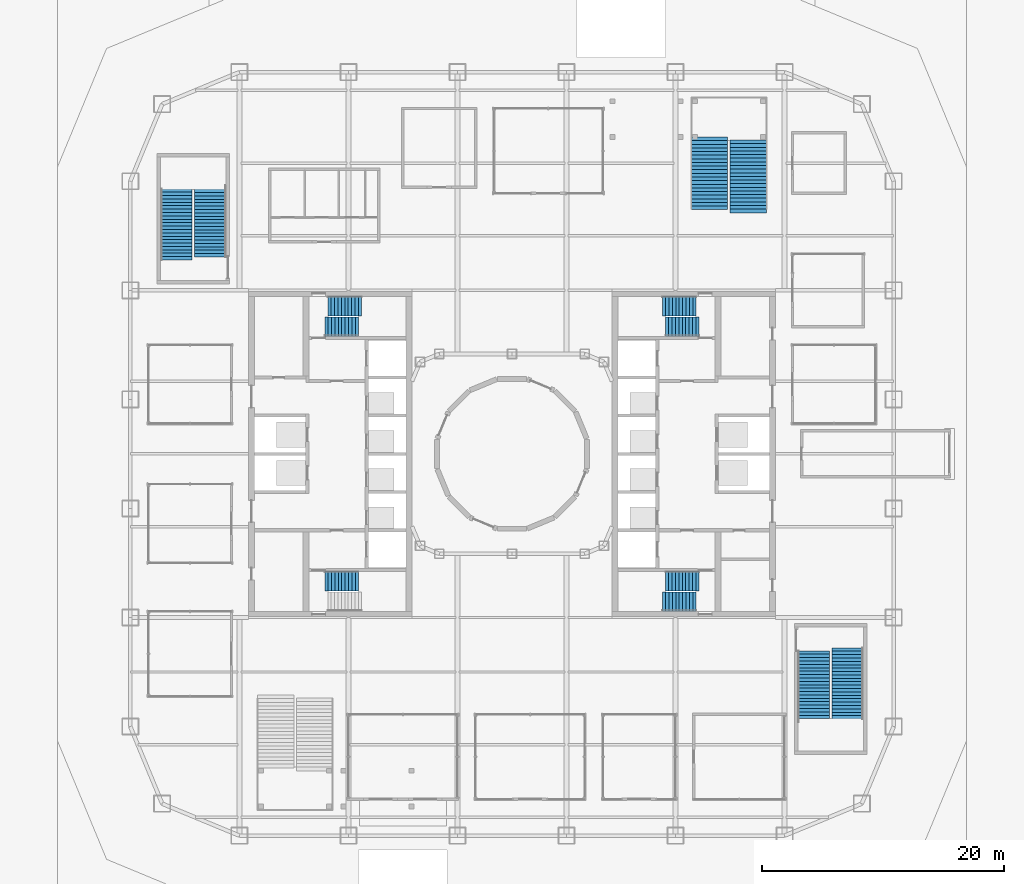
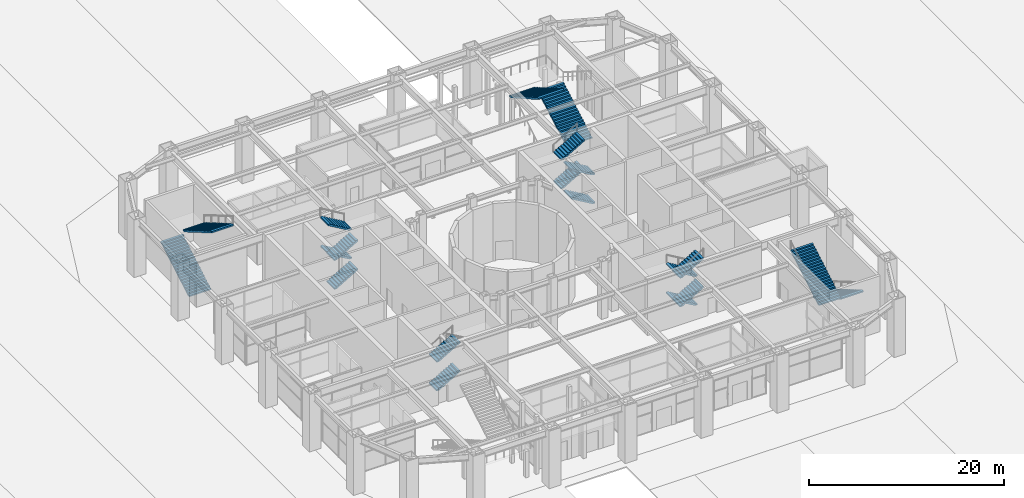
# One storey, part 17 of 20: 20 stair flights, 7 elements without a shape of their own.
"""IFC4 building model written with IfcOpenShell, lengths in metres."""

from ifc_helpers import new_model, si_unit, direction, frame, origin, place, context, subcontext, project, spatial, polyline, outline, extrude, material, type_object, element, aggregate, save


model = new_model("IFC4")

# Units and contexts
model_context = context("Model", 3, precision=1e-05, world=origin(), true_north=direction((0.0, 1.0)))
body_context = subcontext(model_context, "Body", "Model", "MODEL_VIEW")
ifc_project = project(units=[si_unit("LENGTHUNIT", "METRE"), si_unit("AREAUNIT", "SQUARE_METRE"), si_unit("VOLUMEUNIT", "CUBIC_METRE"), si_unit("PLANEANGLEUNIT", "RADIAN"), si_unit("MASSUNIT", "GRAM", prefix="KILO")], contexts=[model_context])

# Site, building, storey
site_placement = place(None, origin())
site = spatial("IfcSite", under=ifc_project, at=site_placement, CompositionType="ELEMENT")
building_placement = place(site_placement, origin())
building = spatial("IfcBuilding", under=site, at=building_placement, Name="Siwar Civic Tower", CompositionType="ELEMENT")
storey_placement = place(building_placement, origin())
storey = spatial("IfcBuildingStorey", under=building, at=storey_placement, Name="L00", CompositionType="ELEMENT", Elevation=0.0)

# Stair, stair flights
ifc_material_1 = material(Name="Concrete C40/50", Category="concrete")
stair_type_1 = type_object("IfcStairType", Name="CORE-STAIR", PredefinedType="TWO_STRAIGHT_RUN_STAIR", material=ifc_material_1)
stair_1_placement = place(storey_placement, origin())
stair_1 = element("IfcStair", 1, at=stair_1_placement, inside=storey, type_object=stair_type_1, Name="Exit stair ST1", PredefinedType="TWO_STRAIGHT_RUN_STAIR")
ifc_material_2 = material(Name="Concrete C40/50", Category="concrete")
stair_flight_type_1 = type_object("IfcStairFlightType", Name="CORE-STAIR-FLIGHT", PredefinedType="STRAIGHT", material=ifc_material_2)
stair_flight_1_placement = place(storey_placement, frame((-15.449951171875, 10.5, 0.0), z_axis=(0.0, 0.0, 1.0), x_axis=(1.0, 0.0, 0.0)))
stair_flight_1 = element("IfcStairFlight", 2, at=stair_flight_1_placement, type_object=stair_flight_type_1, Name="ST1 flight 1", NumberOfRisers=11, NumberOfTreads=10, PredefinedType="STRAIGHT", RiserHeight=0.163636364, TreadLength=0.28, context=body_context, shape_type="SweptSolid", body=[
    extrude(outline(polyline([(0.0, 0.0), (0.0, 0.16357421875), (0.280029296875, 0.16357421875), (0.280029296875, 0.327392578125), (0.56005859375, 0.327392578125), (0.56005859375, 0.490966796875), (0.840087890625, 0.490966796875), (0.840087890625, 0.654541015625), (1.1201171875, 0.654541015625), (1.1201171875, 0.818115234375), (1.39990234375, 0.818115234375), (1.39990234375, 0.98193359375), (1.679931640625, 0.98193359375), (1.679931640625, 1.1455078125), (1.9599609375, 1.1455078125), (1.9599609375, 1.30908203125), (2.239990234375, 1.30908203125), (2.239990234375, 1.47265625), (2.52001953125, 1.47265625), (2.52001953125, 1.636474609375), (2.800048828125, 1.636474609375), (2.800048828125, 1.800048828125), (2.800048828125, 1.462646484375), (0.297119140625, 0.0), (0.0, 0.0)])), frame((0.0, 0.800048828125, 0.0), z_axis=(0.0, -1.0, 0.0), x_axis=(1.0, 0.0, 0.0)), (0.0, 0.0, 1.0), 1.60009765625),
])
stair_flight_2_placement = place(storey_placement, frame((-12.39990234375, 12.199951171875, 1.800048828125), z_axis=(0.0, 0.0, 1.0), x_axis=(-1.0, 0.0, 0.0)))
stair_flight_2 = element("IfcStairFlight", 3, at=stair_flight_2_placement, type_object=stair_flight_type_1, Name="ST1 flight 2", NumberOfRisers=11, NumberOfTreads=10, PredefinedType="STRAIGHT", RiserHeight=0.163636364, TreadLength=0.28, context=body_context, shape_type="SweptSolid", body=[
    extrude(outline(polyline([(0.0, 0.0), (0.0, 0.16357421875), (0.280029296875, 0.16357421875), (0.280029296875, 0.327392578125), (0.56005859375, 0.327392578125), (0.56005859375, 0.490966796875), (0.840087890625, 0.490966796875), (0.840087890625, 0.654541015625), (1.1201171875, 0.654541015625), (1.1201171875, 0.818115234375), (1.39990234375, 0.818115234375), (1.39990234375, 0.98193359375), (1.679931640625, 0.98193359375), (1.679931640625, 1.1455078125), (1.9599609375, 1.1455078125), (1.9599609375, 1.30908203125), (2.239990234375, 1.30908203125), (2.239990234375, 1.47265625), (2.52001953125, 1.47265625), (2.52001953125, 1.636474609375), (2.800048828125, 1.636474609375), (2.800048828125, 1.800048828125), (2.800048828125, 1.462646484375), (0.297119140625, 0.0), (0.0, 0.0)])), frame((0.0, 0.800048828125, 0.0), z_axis=(0.0, -1.0, 0.0), x_axis=(1.0, 0.0, 0.0)), (0.0, 0.0, 1.0), 1.60009765625),
])
stair_flight_3_placement = place(storey_placement, frame((-15.449951171875, 10.5, 3.60009765625), z_axis=(0.0, 0.0, 1.0), x_axis=(1.0, 0.0, 0.0)))
stair_flight_3 = element("IfcStairFlight", 4, at=stair_flight_3_placement, type_object=stair_flight_type_1, Name="ST1 flight 3", NumberOfRisers=11, NumberOfTreads=10, PredefinedType="STRAIGHT", RiserHeight=0.163636364, TreadLength=0.28, context=body_context, shape_type="SweptSolid", body=[
    extrude(outline(polyline([(0.0, 0.0), (0.0, 0.16357421875), (0.280029296875, 0.16357421875), (0.280029296875, 0.327392578125), (0.56005859375, 0.327392578125), (0.56005859375, 0.490966796875), (0.840087890625, 0.490966796875), (0.840087890625, 0.654541015625), (1.1201171875, 0.654541015625), (1.1201171875, 0.818115234375), (1.39990234375, 0.818115234375), (1.39990234375, 0.98193359375), (1.679931640625, 0.98193359375), (1.679931640625, 1.1455078125), (1.9599609375, 1.1455078125), (1.9599609375, 1.30908203125), (2.239990234375, 1.30908203125), (2.239990234375, 1.47265625), (2.52001953125, 1.47265625), (2.52001953125, 1.636474609375), (2.800048828125, 1.636474609375), (2.800048828125, 1.800048828125), (2.800048828125, 1.462646484375), (0.297119140625, 0.0), (0.0, 0.0)])), frame((0.0, 0.800048828125, 0.0), z_axis=(0.0, -1.0, 0.0), x_axis=(1.0, 0.0, 0.0)), (0.0, 0.0, 1.0), 1.60009765625),
])
stair_flight_4_placement = place(storey_placement, frame((-12.39990234375, 12.199951171875, 5.39990234375), z_axis=(0.0, 0.0, 1.0), x_axis=(-1.0, 0.0, 0.0)))
stair_flight_4 = element("IfcStairFlight", 5, at=stair_flight_4_placement, type_object=stair_flight_type_1, Name="ST1 flight 4", NumberOfRisers=11, NumberOfTreads=10, PredefinedType="STRAIGHT", RiserHeight=0.163636364, TreadLength=0.28, context=body_context, shape_type="SweptSolid", body=[
    extrude(outline(polyline([(0.0, 0.0), (0.0, 0.16357421875), (0.280029296875, 0.16357421875), (0.280029296875, 0.327392578125), (0.56005859375, 0.327392578125), (0.56005859375, 0.490966796875), (0.840087890625, 0.490966796875), (0.840087890625, 0.654541015625), (1.1201171875, 0.654541015625), (1.1201171875, 0.818115234375), (1.39990234375, 0.818115234375), (1.39990234375, 0.98193359375), (1.679931640625, 0.98193359375), (1.679931640625, 1.1455078125), (1.9599609375, 1.1455078125), (1.9599609375, 1.30908203125), (2.239990234375, 1.30908203125), (2.239990234375, 1.47265625), (2.52001953125, 1.47265625), (2.52001953125, 1.636474609375), (2.800048828125, 1.636474609375), (2.800048828125, 1.800048828125), (2.800048828125, 1.462646484375), (0.297119140625, 0.0), (0.0, 0.0)])), frame((0.0, 0.800048828125, 0.0), z_axis=(0.0, -1.0, 0.0), x_axis=(1.0, 0.0, 0.0)), (0.0, 0.0, 1.0), 1.60009765625),
])
aggregate(stair_1, [stair_flight_1, stair_flight_2, stair_flight_3, stair_flight_4])

stair_2_placement = place(storey_placement, origin())
stair_2 = element("IfcStair", 6, at=stair_2_placement, inside=storey, type_object=stair_type_1, Name="Exit stair ST2", PredefinedType="TWO_STRAIGHT_RUN_STAIR")
stair_flight_5_placement = place(storey_placement, frame((-15.449951171875, -10.5, 0.0), z_axis=(0.0, 0.0, 1.0), x_axis=(1.0, 0.0, 0.0)))
stair_flight_5 = element("IfcStairFlight", 7, at=stair_flight_5_placement, type_object=stair_flight_type_1, Name="ST2 flight 1", NumberOfRisers=11, NumberOfTreads=10, PredefinedType="STRAIGHT", RiserHeight=0.163636364, TreadLength=0.28, context=body_context, shape_type="SweptSolid", body=[
    extrude(outline(polyline([(0.0, 0.0), (0.0, 0.16357421875), (0.280029296875, 0.16357421875), (0.280029296875, 0.327392578125), (0.56005859375, 0.327392578125), (0.56005859375, 0.490966796875), (0.840087890625, 0.490966796875), (0.840087890625, 0.654541015625), (1.1201171875, 0.654541015625), (1.1201171875, 0.818115234375), (1.39990234375, 0.818115234375), (1.39990234375, 0.98193359375), (1.679931640625, 0.98193359375), (1.679931640625, 1.1455078125), (1.9599609375, 1.1455078125), (1.9599609375, 1.30908203125), (2.239990234375, 1.30908203125), (2.239990234375, 1.47265625), (2.52001953125, 1.47265625), (2.52001953125, 1.636474609375), (2.800048828125, 1.636474609375), (2.800048828125, 1.800048828125), (2.800048828125, 1.462646484375), (0.297119140625, 0.0), (0.0, 0.0)])), frame((0.0, 0.800048828125, 0.0), z_axis=(0.0, -1.0, 0.0), x_axis=(1.0, 0.0, 0.0)), (0.0, 0.0, 1.0), 1.60009765625),
])
stair_flight_6_placement = place(storey_placement, frame((-15.449951171875, -10.5, 3.60009765625), z_axis=(0.0, 0.0, 1.0), x_axis=(1.0, 0.0, 0.0)))
stair_flight_6 = element("IfcStairFlight", 8, at=stair_flight_6_placement, type_object=stair_flight_type_1, Name="ST2 flight 3", NumberOfRisers=11, NumberOfTreads=10, PredefinedType="STRAIGHT", RiserHeight=0.163636364, TreadLength=0.28, context=body_context, shape_type="SweptSolid", body=[
    extrude(outline(polyline([(0.0, 0.0), (0.0, 0.16357421875), (0.280029296875, 0.16357421875), (0.280029296875, 0.327392578125), (0.56005859375, 0.327392578125), (0.56005859375, 0.490966796875), (0.840087890625, 0.490966796875), (0.840087890625, 0.654541015625), (1.1201171875, 0.654541015625), (1.1201171875, 0.818115234375), (1.39990234375, 0.818115234375), (1.39990234375, 0.98193359375), (1.679931640625, 0.98193359375), (1.679931640625, 1.1455078125), (1.9599609375, 1.1455078125), (1.9599609375, 1.30908203125), (2.239990234375, 1.30908203125), (2.239990234375, 1.47265625), (2.52001953125, 1.47265625), (2.52001953125, 1.636474609375), (2.800048828125, 1.636474609375), (2.800048828125, 1.800048828125), (2.800048828125, 1.462646484375), (0.297119140625, 0.0), (0.0, 0.0)])), frame((0.0, 0.800048828125, 0.0), z_axis=(0.0, -1.0, 0.0), x_axis=(1.0, 0.0, 0.0)), (0.0, 0.0, 1.0), 1.60009765625),
])
aggregate(stair_2, [stair_flight_5, stair_flight_6])

stair_3_placement = place(storey_placement, origin())
stair_3 = element("IfcStair", 9, at=stair_3_placement, inside=storey, type_object=stair_type_1, Name="Exit stair ST3", PredefinedType="TWO_STRAIGHT_RUN_STAIR")
stair_flight_7_placement = place(storey_placement, frame((15.449951171875, 10.5, 0.0), z_axis=(0.0, 0.0, 1.0), x_axis=(-1.0, 0.0, 0.0)))
stair_flight_7 = element("IfcStairFlight", 10, at=stair_flight_7_placement, type_object=stair_flight_type_1, Name="ST3 flight 1", NumberOfRisers=11, NumberOfTreads=10, PredefinedType="STRAIGHT", RiserHeight=0.163636364, TreadLength=0.28, context=body_context, shape_type="SweptSolid", body=[
    extrude(outline(polyline([(0.0, 0.0), (0.0, 0.16357421875), (0.280029296875, 0.16357421875), (0.280029296875, 0.327392578125), (0.56005859375, 0.327392578125), (0.56005859375, 0.490966796875), (0.840087890625, 0.490966796875), (0.840087890625, 0.654541015625), (1.1201171875, 0.654541015625), (1.1201171875, 0.818115234375), (1.39990234375, 0.818115234375), (1.39990234375, 0.98193359375), (1.679931640625, 0.98193359375), (1.679931640625, 1.1455078125), (1.9599609375, 1.1455078125), (1.9599609375, 1.30908203125), (2.239990234375, 1.30908203125), (2.239990234375, 1.47265625), (2.52001953125, 1.47265625), (2.52001953125, 1.636474609375), (2.800048828125, 1.636474609375), (2.800048828125, 1.800048828125), (2.800048828125, 1.462646484375), (0.297119140625, 0.0), (0.0, 0.0)])), frame((0.0, 0.800048828125, 0.0), z_axis=(0.0, -1.0, 0.0), x_axis=(1.0, 0.0, 0.0)), (0.0, 0.0, 1.0), 1.60009765625),
])
stair_flight_8_placement = place(storey_placement, frame((12.39990234375, 12.199951171875, 1.800048828125), z_axis=(0.0, 0.0, 1.0), x_axis=(1.0, 0.0, 0.0)))
stair_flight_8 = element("IfcStairFlight", 11, at=stair_flight_8_placement, type_object=stair_flight_type_1, Name="ST3 flight 2", NumberOfRisers=11, NumberOfTreads=10, PredefinedType="STRAIGHT", RiserHeight=0.163636364, TreadLength=0.28, context=body_context, shape_type="SweptSolid", body=[
    extrude(outline(polyline([(0.0, 0.0), (0.0, 0.16357421875), (0.280029296875, 0.16357421875), (0.280029296875, 0.327392578125), (0.56005859375, 0.327392578125), (0.56005859375, 0.490966796875), (0.840087890625, 0.490966796875), (0.840087890625, 0.654541015625), (1.1201171875, 0.654541015625), (1.1201171875, 0.818115234375), (1.39990234375, 0.818115234375), (1.39990234375, 0.98193359375), (1.679931640625, 0.98193359375), (1.679931640625, 1.1455078125), (1.9599609375, 1.1455078125), (1.9599609375, 1.30908203125), (2.239990234375, 1.30908203125), (2.239990234375, 1.47265625), (2.52001953125, 1.47265625), (2.52001953125, 1.636474609375), (2.800048828125, 1.636474609375), (2.800048828125, 1.800048828125), (2.800048828125, 1.462646484375), (0.297119140625, 0.0), (0.0, 0.0)])), frame((0.0, 0.800048828125, 0.0), z_axis=(0.0, -1.0, 0.0), x_axis=(1.0, 0.0, 0.0)), (0.0, 0.0, 1.0), 1.60009765625),
])
stair_flight_9_placement = place(storey_placement, frame((15.449951171875, 10.5, 3.60009765625), z_axis=(0.0, 0.0, 1.0), x_axis=(-1.0, 0.0, 0.0)))
stair_flight_9 = element("IfcStairFlight", 12, at=stair_flight_9_placement, type_object=stair_flight_type_1, Name="ST3 flight 3", NumberOfRisers=11, NumberOfTreads=10, PredefinedType="STRAIGHT", RiserHeight=0.163636364, TreadLength=0.28, context=body_context, shape_type="SweptSolid", body=[
    extrude(outline(polyline([(0.0, 0.0), (0.0, 0.16357421875), (0.280029296875, 0.16357421875), (0.280029296875, 0.327392578125), (0.56005859375, 0.327392578125), (0.56005859375, 0.490966796875), (0.840087890625, 0.490966796875), (0.840087890625, 0.654541015625), (1.1201171875, 0.654541015625), (1.1201171875, 0.818115234375), (1.39990234375, 0.818115234375), (1.39990234375, 0.98193359375), (1.679931640625, 0.98193359375), (1.679931640625, 1.1455078125), (1.9599609375, 1.1455078125), (1.9599609375, 1.30908203125), (2.239990234375, 1.30908203125), (2.239990234375, 1.47265625), (2.52001953125, 1.47265625), (2.52001953125, 1.636474609375), (2.800048828125, 1.636474609375), (2.800048828125, 1.800048828125), (2.800048828125, 1.462646484375), (0.297119140625, 0.0), (0.0, 0.0)])), frame((0.0, 0.800048828125, 0.0), z_axis=(0.0, -1.0, 0.0), x_axis=(1.0, 0.0, 0.0)), (0.0, 0.0, 1.0), 1.60009765625),
])
stair_flight_10_placement = place(storey_placement, frame((12.39990234375, 12.199951171875, 5.39990234375), z_axis=(0.0, 0.0, 1.0), x_axis=(1.0, 0.0, 0.0)))
stair_flight_10 = element("IfcStairFlight", 13, at=stair_flight_10_placement, type_object=stair_flight_type_1, Name="ST3 flight 4", NumberOfRisers=11, NumberOfTreads=10, PredefinedType="STRAIGHT", RiserHeight=0.163636364, TreadLength=0.28, context=body_context, shape_type="SweptSolid", body=[
    extrude(outline(polyline([(0.0, 0.0), (0.0, 0.16357421875), (0.280029296875, 0.16357421875), (0.280029296875, 0.327392578125), (0.56005859375, 0.327392578125), (0.56005859375, 0.490966796875), (0.840087890625, 0.490966796875), (0.840087890625, 0.654541015625), (1.1201171875, 0.654541015625), (1.1201171875, 0.818115234375), (1.39990234375, 0.818115234375), (1.39990234375, 0.98193359375), (1.679931640625, 0.98193359375), (1.679931640625, 1.1455078125), (1.9599609375, 1.1455078125), (1.9599609375, 1.30908203125), (2.239990234375, 1.30908203125), (2.239990234375, 1.47265625), (2.52001953125, 1.47265625), (2.52001953125, 1.636474609375), (2.800048828125, 1.636474609375), (2.800048828125, 1.800048828125), (2.800048828125, 1.462646484375), (0.297119140625, 0.0), (0.0, 0.0)])), frame((0.0, 0.800048828125, 0.0), z_axis=(0.0, -1.0, 0.0), x_axis=(1.0, 0.0, 0.0)), (0.0, 0.0, 1.0), 1.60009765625),
])
aggregate(stair_3, [stair_flight_7, stair_flight_8, stair_flight_9, stair_flight_10])

stair_4_placement = place(storey_placement, origin())
stair_4 = element("IfcStair", 14, at=stair_4_placement, inside=storey, type_object=stair_type_1, Name="Exit stair ST4", PredefinedType="TWO_STRAIGHT_RUN_STAIR")
stair_flight_11_placement = place(storey_placement, frame((15.449951171875, -10.5, 0.0), z_axis=(0.0, 0.0, 1.0), x_axis=(-1.0, 0.0, 0.0)))
stair_flight_11 = element("IfcStairFlight", 15, at=stair_flight_11_placement, type_object=stair_flight_type_1, Name="ST4 flight 1", NumberOfRisers=11, NumberOfTreads=10, PredefinedType="STRAIGHT", RiserHeight=0.163636364, TreadLength=0.28, context=body_context, shape_type="SweptSolid", body=[
    extrude(outline(polyline([(0.0, 0.0), (0.0, 0.16357421875), (0.280029296875, 0.16357421875), (0.280029296875, 0.327392578125), (0.56005859375, 0.327392578125), (0.56005859375, 0.490966796875), (0.840087890625, 0.490966796875), (0.840087890625, 0.654541015625), (1.1201171875, 0.654541015625), (1.1201171875, 0.818115234375), (1.39990234375, 0.818115234375), (1.39990234375, 0.98193359375), (1.679931640625, 0.98193359375), (1.679931640625, 1.1455078125), (1.9599609375, 1.1455078125), (1.9599609375, 1.30908203125), (2.239990234375, 1.30908203125), (2.239990234375, 1.47265625), (2.52001953125, 1.47265625), (2.52001953125, 1.636474609375), (2.800048828125, 1.636474609375), (2.800048828125, 1.800048828125), (2.800048828125, 1.462646484375), (0.297119140625, 0.0), (0.0, 0.0)])), frame((0.0, 0.800048828125, 0.0), z_axis=(0.0, -1.0, 0.0), x_axis=(1.0, 0.0, 0.0)), (0.0, 0.0, 1.0), 1.60009765625),
])
stair_flight_12_placement = place(storey_placement, frame((12.39990234375, -12.199951171875, 1.800048828125), z_axis=(0.0, 0.0, 1.0), x_axis=(1.0, 0.0, 0.0)))
stair_flight_12 = element("IfcStairFlight", 16, at=stair_flight_12_placement, type_object=stair_flight_type_1, Name="ST4 flight 2", NumberOfRisers=11, NumberOfTreads=10, PredefinedType="STRAIGHT", RiserHeight=0.163636364, TreadLength=0.28, context=body_context, shape_type="SweptSolid", body=[
    extrude(outline(polyline([(0.0, 0.0), (0.0, 0.16357421875), (0.280029296875, 0.16357421875), (0.280029296875, 0.327392578125), (0.56005859375, 0.327392578125), (0.56005859375, 0.490966796875), (0.840087890625, 0.490966796875), (0.840087890625, 0.654541015625), (1.1201171875, 0.654541015625), (1.1201171875, 0.818115234375), (1.39990234375, 0.818115234375), (1.39990234375, 0.98193359375), (1.679931640625, 0.98193359375), (1.679931640625, 1.1455078125), (1.9599609375, 1.1455078125), (1.9599609375, 1.30908203125), (2.239990234375, 1.30908203125), (2.239990234375, 1.47265625), (2.52001953125, 1.47265625), (2.52001953125, 1.636474609375), (2.800048828125, 1.636474609375), (2.800048828125, 1.800048828125), (2.800048828125, 1.462646484375), (0.297119140625, 0.0), (0.0, 0.0)])), frame((0.0, 0.800048828125, 0.0), z_axis=(0.0, -1.0, 0.0), x_axis=(1.0, 0.0, 0.0)), (0.0, 0.0, 1.0), 1.60009765625),
])
stair_flight_13_placement = place(storey_placement, frame((15.449951171875, -10.5, 3.60009765625), z_axis=(0.0, 0.0, 1.0), x_axis=(-1.0, 0.0, 0.0)))
stair_flight_13 = element("IfcStairFlight", 17, at=stair_flight_13_placement, type_object=stair_flight_type_1, Name="ST4 flight 3", NumberOfRisers=11, NumberOfTreads=10, PredefinedType="STRAIGHT", RiserHeight=0.163636364, TreadLength=0.28, context=body_context, shape_type="SweptSolid", body=[
    extrude(outline(polyline([(0.0, 0.0), (0.0, 0.16357421875), (0.280029296875, 0.16357421875), (0.280029296875, 0.327392578125), (0.56005859375, 0.327392578125), (0.56005859375, 0.490966796875), (0.840087890625, 0.490966796875), (0.840087890625, 0.654541015625), (1.1201171875, 0.654541015625), (1.1201171875, 0.818115234375), (1.39990234375, 0.818115234375), (1.39990234375, 0.98193359375), (1.679931640625, 0.98193359375), (1.679931640625, 1.1455078125), (1.9599609375, 1.1455078125), (1.9599609375, 1.30908203125), (2.239990234375, 1.30908203125), (2.239990234375, 1.47265625), (2.52001953125, 1.47265625), (2.52001953125, 1.636474609375), (2.800048828125, 1.636474609375), (2.800048828125, 1.800048828125), (2.800048828125, 1.462646484375), (0.297119140625, 0.0), (0.0, 0.0)])), frame((0.0, 0.800048828125, 0.0), z_axis=(0.0, -1.0, 0.0), x_axis=(1.0, 0.0, 0.0)), (0.0, 0.0, 1.0), 1.60009765625),
])
stair_flight_14_placement = place(storey_placement, frame((12.39990234375, -12.199951171875, 5.39990234375), z_axis=(0.0, 0.0, 1.0), x_axis=(1.0, 0.0, 0.0)))
stair_flight_14 = element("IfcStairFlight", 18, at=stair_flight_14_placement, type_object=stair_flight_type_1, Name="ST4 flight 4", NumberOfRisers=11, NumberOfTreads=10, PredefinedType="STRAIGHT", RiserHeight=0.163636364, TreadLength=0.28, context=body_context, shape_type="SweptSolid", body=[
    extrude(outline(polyline([(0.0, 0.0), (0.0, 0.16357421875), (0.280029296875, 0.16357421875), (0.280029296875, 0.327392578125), (0.56005859375, 0.327392578125), (0.56005859375, 0.490966796875), (0.840087890625, 0.490966796875), (0.840087890625, 0.654541015625), (1.1201171875, 0.654541015625), (1.1201171875, 0.818115234375), (1.39990234375, 0.818115234375), (1.39990234375, 0.98193359375), (1.679931640625, 0.98193359375), (1.679931640625, 1.1455078125), (1.9599609375, 1.1455078125), (1.9599609375, 1.30908203125), (2.239990234375, 1.30908203125), (2.239990234375, 1.47265625), (2.52001953125, 1.47265625), (2.52001953125, 1.636474609375), (2.800048828125, 1.636474609375), (2.800048828125, 1.800048828125), (2.800048828125, 1.462646484375), (0.297119140625, 0.0), (0.0, 0.0)])), frame((0.0, 0.800048828125, 0.0), z_axis=(0.0, -1.0, 0.0), x_axis=(1.0, 0.0, 0.0)), (0.0, 0.0, 1.0), 1.60009765625),
])
aggregate(stair_4, [stair_flight_11, stair_flight_12, stair_flight_13, stair_flight_14])

ifc_material_3 = material(Name="Concrete C40/50", Category="concrete")
stair_type_2 = type_object("IfcStairType", Name="GND-ES-STAIR", PredefinedType="TWO_STRAIGHT_RUN_STAIR", material=ifc_material_3)
stair_5_placement = place(storey_placement, origin())
stair_5 = element("IfcStair", 19, at=stair_5_placement, inside=storey, type_object=stair_type_2, Name="Exit stair ST5", PredefinedType="TWO_STRAIGHT_RUN_STAIR")
ifc_material_4 = material(Name="Concrete C40/50", Category="concrete")
stair_flight_type_2 = type_object("IfcStairFlightType", Name="GND-ES-FLIGHT", PredefinedType="STRAIGHT", material=ifc_material_4)
stair_flight_15_placement = place(storey_placement, frame((-27.699951171875, 16.0, 0.0), z_axis=(0.0, 0.0, 1.0), x_axis=(0.0, 1.0, 0.0)))
stair_flight_15 = element("IfcStairFlight", 20, at=stair_flight_15_placement, type_object=stair_flight_type_2, Name="ST5 flight 1", NumberOfRisers=22, NumberOfTreads=21, PredefinedType="STRAIGHT", RiserHeight=0.163636, TreadLength=0.28, context=body_context, shape_type="SweptSolid", body=[
    extrude(outline(polyline([(0.0, 0.0), (0.0, 0.16357421875), (0.280029296875, 0.16357421875), (0.280029296875, 0.327392578125), (0.56005859375, 0.327392578125), (0.56005859375, 0.490966796875), (0.840087890625, 0.490966796875), (0.840087890625, 0.654541015625), (1.1201171875, 0.654541015625), (1.1201171875, 0.818115234375), (1.39990234375, 0.818115234375), (1.39990234375, 0.98193359375), (1.679931640625, 0.98193359375), (1.679931640625, 1.1455078125), (1.9599609375, 1.1455078125), (1.9599609375, 1.30908203125), (2.239990234375, 1.30908203125), (2.239990234375, 1.47265625), (2.52001953125, 1.47265625), (2.52001953125, 1.636474609375), (2.800048828125, 1.636474609375), (2.800048828125, 1.800048828125), (3.080078125, 1.800048828125), (3.080078125, 1.963623046875), (3.360107421875, 1.963623046875), (3.360107421875, 2.127197265625), (3.639892578125, 2.127197265625), (3.639892578125, 2.291015625), (3.919921875, 2.291015625), (3.919921875, 2.45458984375), (4.199951171875, 2.45458984375), (4.199951171875, 2.6181640625), (4.47998046875, 2.6181640625), (4.47998046875, 2.78173828125), (4.760009765625, 2.78173828125), (4.760009765625, 2.945556640625), (5.0400390625, 2.945556640625), (5.0400390625, 3.109130859375), (5.320068359375, 3.109130859375), (5.320068359375, 3.272705078125), (5.60009765625, 3.272705078125), (5.60009765625, 3.436279296875), (5.8798828125, 3.436279296875), (5.8798828125, 3.60009765625), (5.8798828125, 3.2626953125), (0.297119140625, 0.0), (0.0, 0.0)])), frame((0.0, 1.300048828125, 0.0), z_axis=(0.0, -1.0, 0.0), x_axis=(1.0, 0.0, 0.0)), (0.0, 0.0, 1.0), 2.60009765625),
])
stair_flight_16_placement = place(storey_placement, frame((-24.89990234375, 22.1298828125, 3.60009765625), z_axis=(0.0, 0.0, 1.0), x_axis=(0.0, -1.0, 0.0)))
stair_flight_16 = element("IfcStairFlight", 21, at=stair_flight_16_placement, type_object=stair_flight_type_2, Name="ST5 flight 2", NumberOfRisers=22, NumberOfTreads=21, PredefinedType="STRAIGHT", RiserHeight=0.163636, TreadLength=0.28, context=body_context, shape_type="SweptSolid", body=[
    extrude(outline(polyline([(0.0, 0.0), (0.0, 0.16357421875), (0.280029296875, 0.16357421875), (0.280029296875, 0.327392578125), (0.56005859375, 0.327392578125), (0.56005859375, 0.490966796875), (0.840087890625, 0.490966796875), (0.840087890625, 0.654541015625), (1.1201171875, 0.654541015625), (1.1201171875, 0.818115234375), (1.39990234375, 0.818115234375), (1.39990234375, 0.98193359375), (1.679931640625, 0.98193359375), (1.679931640625, 1.1455078125), (1.9599609375, 1.1455078125), (1.9599609375, 1.30908203125), (2.239990234375, 1.30908203125), (2.239990234375, 1.47265625), (2.52001953125, 1.47265625), (2.52001953125, 1.636474609375), (2.800048828125, 1.636474609375), (2.800048828125, 1.800048828125), (3.080078125, 1.800048828125), (3.080078125, 1.963623046875), (3.360107421875, 1.963623046875), (3.360107421875, 2.127197265625), (3.639892578125, 2.127197265625), (3.639892578125, 2.291015625), (3.919921875, 2.291015625), (3.919921875, 2.45458984375), (4.199951171875, 2.45458984375), (4.199951171875, 2.6181640625), (4.47998046875, 2.6181640625), (4.47998046875, 2.78173828125), (4.760009765625, 2.78173828125), (4.760009765625, 2.945556640625), (5.0400390625, 2.945556640625), (5.0400390625, 3.109130859375), (5.320068359375, 3.109130859375), (5.320068359375, 3.272705078125), (5.60009765625, 3.272705078125), (5.60009765625, 3.436279296875), (5.8798828125, 3.436279296875), (5.8798828125, 3.60009765625), (5.8798828125, 3.2626953125), (0.297119140625, 0.0), (0.0, 0.0)])), frame((0.0, 1.300048828125, 0.0), z_axis=(0.0, -1.0, 0.0), x_axis=(1.0, 0.0, 0.0)), (0.0, 0.0, 1.0), 2.60009765625),
])
aggregate(stair_5, [stair_flight_15, stair_flight_16])

stair_6_placement = place(storey_placement, origin())
stair_6 = element("IfcStair", 22, at=stair_6_placement, inside=storey, type_object=stair_type_2, Name="Exit stair ST6", PredefinedType="TWO_STRAIGHT_RUN_STAIR")
stair_flight_17_placement = place(storey_placement, frame((27.699951171875, -16.0, 0.0), z_axis=(0.0, 0.0, 1.0), x_axis=(0.0, -1.0, 0.0)))
stair_flight_17 = element("IfcStairFlight", 23, at=stair_flight_17_placement, type_object=stair_flight_type_2, Name="ST6 flight 1", NumberOfRisers=22, NumberOfTreads=21, PredefinedType="STRAIGHT", RiserHeight=0.163636, TreadLength=0.28, context=body_context, shape_type="SweptSolid", body=[
    extrude(outline(polyline([(0.0, 0.0), (0.0, 0.16357421875), (0.280029296875, 0.16357421875), (0.280029296875, 0.327392578125), (0.56005859375, 0.327392578125), (0.56005859375, 0.490966796875), (0.840087890625, 0.490966796875), (0.840087890625, 0.654541015625), (1.1201171875, 0.654541015625), (1.1201171875, 0.818115234375), (1.39990234375, 0.818115234375), (1.39990234375, 0.98193359375), (1.679931640625, 0.98193359375), (1.679931640625, 1.1455078125), (1.9599609375, 1.1455078125), (1.9599609375, 1.30908203125), (2.239990234375, 1.30908203125), (2.239990234375, 1.47265625), (2.52001953125, 1.47265625), (2.52001953125, 1.636474609375), (2.800048828125, 1.636474609375), (2.800048828125, 1.800048828125), (3.080078125, 1.800048828125), (3.080078125, 1.963623046875), (3.360107421875, 1.963623046875), (3.360107421875, 2.127197265625), (3.639892578125, 2.127197265625), (3.639892578125, 2.291015625), (3.919921875, 2.291015625), (3.919921875, 2.45458984375), (4.199951171875, 2.45458984375), (4.199951171875, 2.6181640625), (4.47998046875, 2.6181640625), (4.47998046875, 2.78173828125), (4.760009765625, 2.78173828125), (4.760009765625, 2.945556640625), (5.0400390625, 2.945556640625), (5.0400390625, 3.109130859375), (5.320068359375, 3.109130859375), (5.320068359375, 3.272705078125), (5.60009765625, 3.272705078125), (5.60009765625, 3.436279296875), (5.8798828125, 3.436279296875), (5.8798828125, 3.60009765625), (5.8798828125, 3.2626953125), (0.297119140625, 0.0), (0.0, 0.0)])), frame((0.0, 1.300048828125, 0.0), z_axis=(0.0, -1.0, 0.0), x_axis=(1.0, 0.0, 0.0)), (0.0, 0.0, 1.0), 2.60009765625),
])
stair_flight_18_placement = place(storey_placement, frame((24.89990234375, -22.1298828125, 3.60009765625), z_axis=(0.0, 0.0, 1.0), x_axis=(0.0, 1.0, 0.0)))
stair_flight_18 = element("IfcStairFlight", 24, at=stair_flight_18_placement, type_object=stair_flight_type_2, Name="ST6 flight 2", NumberOfRisers=22, NumberOfTreads=21, PredefinedType="STRAIGHT", RiserHeight=0.163636, TreadLength=0.28, context=body_context, shape_type="SweptSolid", body=[
    extrude(outline(polyline([(0.0, 0.0), (0.0, 0.16357421875), (0.280029296875, 0.16357421875), (0.280029296875, 0.327392578125), (0.56005859375, 0.327392578125), (0.56005859375, 0.490966796875), (0.840087890625, 0.490966796875), (0.840087890625, 0.654541015625), (1.1201171875, 0.654541015625), (1.1201171875, 0.818115234375), (1.39990234375, 0.818115234375), (1.39990234375, 0.98193359375), (1.679931640625, 0.98193359375), (1.679931640625, 1.1455078125), (1.9599609375, 1.1455078125), (1.9599609375, 1.30908203125), (2.239990234375, 1.30908203125), (2.239990234375, 1.47265625), (2.52001953125, 1.47265625), (2.52001953125, 1.636474609375), (2.800048828125, 1.636474609375), (2.800048828125, 1.800048828125), (3.080078125, 1.800048828125), (3.080078125, 1.963623046875), (3.360107421875, 1.963623046875), (3.360107421875, 2.127197265625), (3.639892578125, 2.127197265625), (3.639892578125, 2.291015625), (3.919921875, 2.291015625), (3.919921875, 2.45458984375), (4.199951171875, 2.45458984375), (4.199951171875, 2.6181640625), (4.47998046875, 2.6181640625), (4.47998046875, 2.78173828125), (4.760009765625, 2.78173828125), (4.760009765625, 2.945556640625), (5.0400390625, 2.945556640625), (5.0400390625, 3.109130859375), (5.320068359375, 3.109130859375), (5.320068359375, 3.272705078125), (5.60009765625, 3.272705078125), (5.60009765625, 3.436279296875), (5.8798828125, 3.436279296875), (5.8798828125, 3.60009765625), (5.8798828125, 3.2626953125), (0.297119140625, 0.0), (0.0, 0.0)])), frame((0.0, 1.300048828125, 0.0), z_axis=(0.0, -1.0, 0.0), x_axis=(1.0, 0.0, 0.0)), (0.0, 0.0, 1.0), 2.60009765625),
])
aggregate(stair_6, [stair_flight_17, stair_flight_18])

ifc_material_5 = material(Name="Concrete C40/50", Category="concrete")
stair_type_3 = type_object("IfcStairType", Name="GND-GS-STAIR", PredefinedType="TWO_STRAIGHT_RUN_STAIR", material=ifc_material_5)
stair_7_placement = place(storey_placement, origin())
stair_7 = element("IfcStair", 25, at=stair_7_placement, inside=storey, type_object=stair_type_3, Name="Grand stair 2", PredefinedType="TWO_STRAIGHT_RUN_STAIR")
ifc_material_6 = material(Name="Concrete C40/50", Category="concrete")
stair_flight_type_3 = type_object("IfcStairFlightType", Name="GND-GS-FLIGHT", PredefinedType="STRAIGHT", material=ifc_material_6)
stair_flight_19_placement = place(storey_placement, frame((19.5, 19.89990234375, 0.0), z_axis=(0.0, 0.0, 1.0), x_axis=(0.0, 1.0, 0.0)))
stair_flight_19 = element("IfcStairFlight", 26, at=stair_flight_19_placement, type_object=stair_flight_type_3, Name="GS2 flight 1", NumberOfRisers=21, NumberOfTreads=20, PredefinedType="STRAIGHT", RiserHeight=0.171429, TreadLength=0.3, context=body_context, shape_type="SweptSolid", body=[
    extrude(outline(polyline([(0.0, 0.0), (0.0, 0.17138671875), (0.300048828125, 0.17138671875), (0.300048828125, 0.3427734375), (0.60009765625, 0.3427734375), (0.60009765625, 0.514404296875), (0.89990234375, 0.514404296875), (0.89990234375, 0.685791015625), (1.199951171875, 0.685791015625), (1.199951171875, 0.857177734375), (1.5, 0.857177734375), (1.5, 1.028564453125), (1.800048828125, 1.028564453125), (1.800048828125, 1.199951171875), (2.10009765625, 1.199951171875), (2.10009765625, 1.371337890625), (2.39990234375, 1.371337890625), (2.39990234375, 1.54296875), (2.699951171875, 1.54296875), (2.699951171875, 1.71435546875), (3.0, 1.71435546875), (3.0, 1.8857421875), (3.300048828125, 1.8857421875), (3.300048828125, 2.05712890625), (3.60009765625, 2.05712890625), (3.60009765625, 2.228515625), (3.89990234375, 2.228515625), (3.89990234375, 2.39990234375), (4.199951171875, 2.39990234375), (4.199951171875, 2.571533203125), (4.5, 2.571533203125), (4.5, 2.742919921875), (4.800048828125, 2.742919921875), (4.800048828125, 2.914306640625), (5.10009765625, 2.914306640625), (5.10009765625, 3.085693359375), (5.39990234375, 3.085693359375), (5.39990234375, 3.257080078125), (5.699951171875, 3.257080078125), (5.699951171875, 3.428466796875), (6.0, 3.428466796875), (6.0, 3.60009765625), (6.0, 3.255859375), (0.30224609375, 0.0), (0.0, 0.0)])), frame((0.0, 1.5, 0.0), z_axis=(0.0, -1.0, 0.0), x_axis=(1.0, 0.0, 0.0)), (0.0, 0.0, 1.0), 3.0),
])
stair_flight_20_placement = place(storey_placement, frame((16.300048828125, 26.14990234375, 3.60009765625), z_axis=(0.0, 0.0, 1.0), x_axis=(0.0, -1.0, 0.0)))
stair_flight_20 = element("IfcStairFlight", 27, at=stair_flight_20_placement, type_object=stair_flight_type_3, Name="GS2 flight 2", NumberOfRisers=21, NumberOfTreads=20, PredefinedType="STRAIGHT", RiserHeight=0.171429, TreadLength=0.3, context=body_context, shape_type="SweptSolid", body=[
    extrude(outline(polyline([(0.0, 0.0), (0.0, 0.17138671875), (0.300048828125, 0.17138671875), (0.300048828125, 0.3427734375), (0.60009765625, 0.3427734375), (0.60009765625, 0.514404296875), (0.89990234375, 0.514404296875), (0.89990234375, 0.685791015625), (1.199951171875, 0.685791015625), (1.199951171875, 0.857177734375), (1.5, 0.857177734375), (1.5, 1.028564453125), (1.800048828125, 1.028564453125), (1.800048828125, 1.199951171875), (2.10009765625, 1.199951171875), (2.10009765625, 1.371337890625), (2.39990234375, 1.371337890625), (2.39990234375, 1.54296875), (2.699951171875, 1.54296875), (2.699951171875, 1.71435546875), (3.0, 1.71435546875), (3.0, 1.8857421875), (3.300048828125, 1.8857421875), (3.300048828125, 2.05712890625), (3.60009765625, 2.05712890625), (3.60009765625, 2.228515625), (3.89990234375, 2.228515625), (3.89990234375, 2.39990234375), (4.199951171875, 2.39990234375), (4.199951171875, 2.571533203125), (4.5, 2.571533203125), (4.5, 2.742919921875), (4.800048828125, 2.742919921875), (4.800048828125, 2.914306640625), (5.10009765625, 2.914306640625), (5.10009765625, 3.085693359375), (5.39990234375, 3.085693359375), (5.39990234375, 3.257080078125), (5.699951171875, 3.257080078125), (5.699951171875, 3.428466796875), (6.0, 3.428466796875), (6.0, 3.60009765625), (6.0, 3.255859375), (0.30224609375, 0.0), (0.0, 0.0)])), frame((0.0, 1.5, 0.0), z_axis=(0.0, -1.0, 0.0), x_axis=(1.0, 0.0, 0.0)), (0.0, 0.0, 1.0), 3.0),
])
aggregate(stair_7, [stair_flight_19, stair_flight_20])

save(model, "model.ifc")
